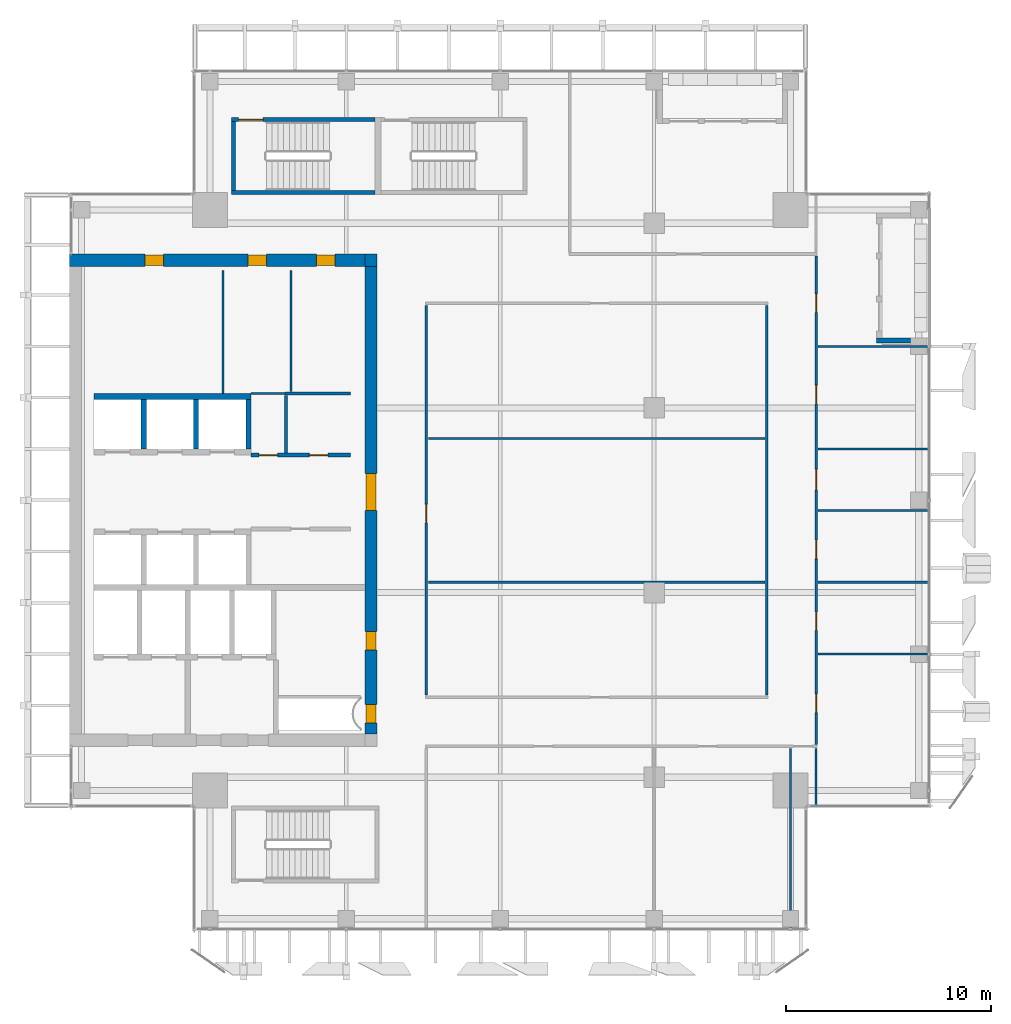
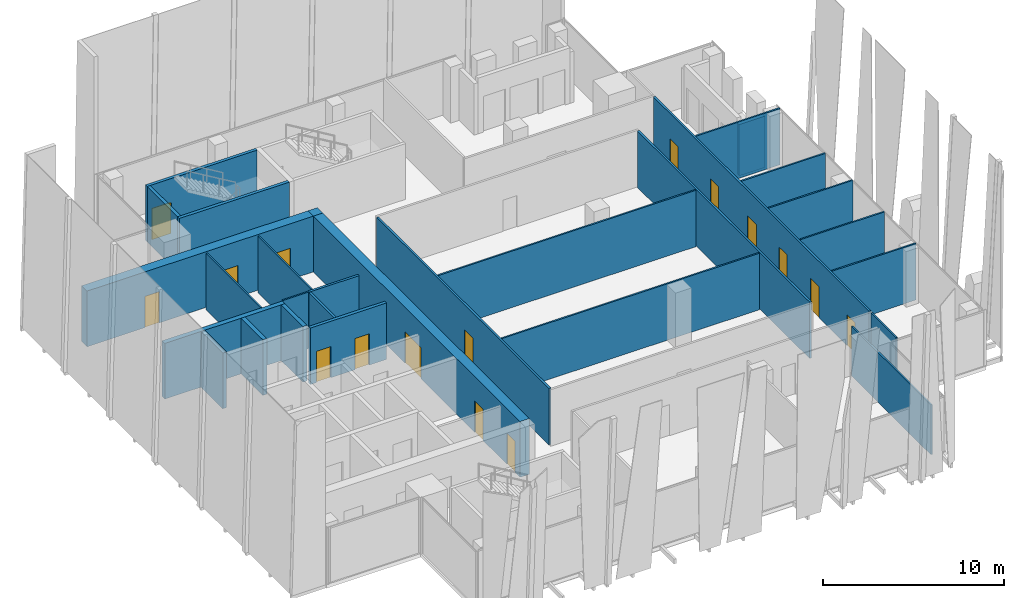
# One storey, part 27 of 33: 29 walls, 16 doors, 16 openings.
"""IFC4 building model written with IfcOpenShell, lengths in metres."""

from ifc_helpers import new_model, si_unit, direction, frame, frame_2d, origin, place, context, subcontext, project, spatial, rectangle, extrude, source, transform, mapped, material, layer, layer_set, type_object, element, fill, save


model = new_model("IFC4")

# Units and contexts
model_context = context("Model", 3, precision=1e-05, world=origin(), true_north=direction((0.0, 1.0)))
body_context = subcontext(model_context, "Body", "Model", "MODEL_VIEW")
ifc_project = project(units=[si_unit("LENGTHUNIT", "METRE"), si_unit("AREAUNIT", "SQUARE_METRE"), si_unit("VOLUMEUNIT", "CUBIC_METRE"), si_unit("PLANEANGLEUNIT", "RADIAN"), si_unit("MASSUNIT", "GRAM", prefix="KILO")], contexts=[model_context])

# Site, building, storey
site_placement = place(None, origin())
site = spatial("IfcSite", under=ifc_project, at=site_placement, CompositionType="ELEMENT")
building_placement = place(site_placement, origin())
building = spatial("IfcBuilding", under=site, at=building_placement, Name="Khomas Fold Tower", CompositionType="ELEMENT")
storey_placement = place(building_placement, frame((0.0, 0.0, 294.199951171875)))
storey = spatial("IfcBuildingStorey", under=building, at=storey_placement, Name="L66", CompositionType="ELEMENT", Elevation=294.199951171875)

# Wall, opening, door
ifc_material_1 = material(Name="Concrete C50/60", Category="concrete")
ifc_layer_1 = layer(ifc_material_1, 0.199951171875)
ifc_layer_set_1 = layer_set([ifc_layer_1], Name="Concrete C50/60")
wall_type_1 = type_object("IfcWallType", Name="Stair wall 200", PredefinedType="SHEAR", material=ifc_layer_set_1)
shared_shape_1 = source(origin(), body_context, "Body", "SweptSolid", [
    extrude(rectangle(XDim=7.0, YDim=0.199951171875, at=frame_2d((3.5, 0.0))), origin(), (0.0, 0.0, 1.0), 3.75),
])
wall_1_placement = place(storey_placement, frame((13.89990234375, 45.550048828125, 0.0), z_axis=(0.0, 0.0, 1.0), x_axis=(1.0, 0.0, 0.0)))
wall_1 = element("IfcWall", 1, at=wall_1_placement, inside=storey, type_object=wall_type_1, Name="Stair wall SW-ST1-N", PredefinedType="SHEAR", context=body_context, shape_type="MappedRepresentation", body=[
    mapped(shared_shape_1, transform((0.0, 0.0, 0.0))),
])
shared_shape_2 = source(origin(), body_context, "Body", "SweptSolid", [
    extrude(rectangle(XDim=1.199951171875, YDim=2.10009765625, at=frame_2d((0.60009765625, 1.050048828125))), frame((0.0, 0.10986328125, 0.0), z_axis=(0.0, -1.0, 0.0), x_axis=(1.0, 0.0, 0.0)), (0.0, 0.0, 1.0), 0.219970703125),
])
opening_1_placement = place(wall_1_placement, frame((0.35009765625, 0.0, 0.0)))
opening_1 = element("IfcOpeningElement", 2, at=opening_1_placement, cuts=wall_1, Name="Opening SD-ST1", PredefinedType="OPENING", context=body_context, shape_type="MappedRepresentation", body=[
    mapped(shared_shape_2, transform((0.0, 0.0, 0.0))),
])
ifc_material_2 = material(Name="Steel door leaf", Category="steel")
door_type_1 = type_object("IfcDoorType", Name="Stair door 1200x2100 left-hand", OperationType="SINGLE_SWING_LEFT", PredefinedType="DOOR", material=ifc_material_2)
shared_shape_3 = source(origin(), body_context, "Body", "SweptSolid", [
    extrude(rectangle(XDim=1.199951171875, YDim=2.10009765625, at=frame_2d((0.60009765625, 1.050048828125))), frame((0.0, 0.02490234375, 0.0), z_axis=(0.0, -1.0, 0.0), x_axis=(1.0, 0.0, 0.0)), (0.0, 0.0, 1.0), 0.050048828125),
])
door_1_placement = place(opening_1_placement, origin())
door_1 = element("IfcDoor", 3, at=door_1_placement, inside=storey, type_object=door_type_1, Name="Stair door", OperationType="SINGLE_SWING_LEFT", OverallHeight=2.10009765625, OverallWidth=1.199951171875, PredefinedType="DOOR", context=body_context, shape_type="MappedRepresentation", body=[
    mapped(shared_shape_3, transform((0.0, 0.0, 0.0))),
])
fill(opening_1, door_1)

# Walls
wall_2_placement = place(storey_placement, frame((13.89990234375, 42.0, 0.0), z_axis=(0.0, 0.0, 1.0), x_axis=(1.0, 0.0, 0.0)))
element("IfcWall", 4, at=wall_2_placement, inside=storey, type_object=wall_type_1, Name="Stair wall SW-ST1-S", PredefinedType="SHEAR", context=body_context, shape_type="MappedRepresentation", body=[
    mapped(shared_shape_1, transform((0.0, 0.0, 0.0))),
])
shared_shape_4 = source(origin(), body_context, "Body", "SweptSolid", [
    extrude(rectangle(XDim=3.349853515625, YDim=0.199951171875, at=frame_2d((1.6748046875, 0.0))), origin(), (0.0, 0.0, 1.0), 3.75),
])
wall_3_placement = place(storey_placement, frame((14.0, 42.10009765625, 0.0), z_axis=(0.0, 0.0, 1.0), x_axis=(0.0, 1.0, 0.0)))
element("IfcWall", 5, at=wall_3_placement, inside=storey, type_object=wall_type_1, Name="Stair wall SW-ST1-W", PredefinedType="SHEAR", context=body_context, shape_type="MappedRepresentation", body=[
    mapped(shared_shape_4, transform((0.0, 0.0, 0.0))),
])
ifc_material_3 = material(Name="Concrete C50/60", Category="concrete")
ifc_layer_2 = layer(ifc_material_3, 0.25)
ifc_layer_set_2 = layer_set([ifc_layer_2], Name="Concrete C50/60")
wall_type_2 = type_object("IfcWallType", Name="Shaft wall 250", PredefinedType="STANDARD", material=ifc_layer_set_2)
shared_shape_5 = source(origin(), body_context, "Body", "SweptSolid", [
    extrude(rectangle(XDim=2.39990234375, YDim=0.25, at=frame_2d((1.199951171875, 0.0))), origin(), (0.0, 0.0, 1.0), 3.75),
])
for number, where, z_axis, x_axis, name in (
    (6, (9.625, 29.5, 0.0), (0.0, 0.0, 1.0), (0.0, 1.0, 0.0), "Core wall SW-HRN-P1"),
    (7, (12.175048828125, 29.5, 0.0), (0.0, 0.0, 1.0), (0.0, 1.0, 0.0), "Core wall SW-HRN-P2"),
    (8, (14.72509765625, 29.5, 0.0), (0.0, 0.0, 1.0), (0.0, 1.0, 0.0), "Core wall SW-HRN-PE"),
):
    element("IfcWall", number, at=place(storey_placement, frame(where, z_axis=z_axis, x_axis=x_axis)), inside=storey, type_object=wall_type_2, Name=name, PredefinedType="STANDARD", context=body_context, shape_type="MappedRepresentation", body=[
        mapped(shared_shape_5, transform((0.0, 0.0, 0.0))),
    ])

# Wall, openings, doors
ifc_material_4 = material(Name="Concrete C50/60", Category="concrete")
ifc_layer_3 = layer(ifc_material_4, 0.60009765625)
ifc_layer_set_3 = layer_set([ifc_layer_3], Name="Concrete C50/60")
wall_type_3 = type_object("IfcWallType", Name="Core wall 600", PredefinedType="SHEAR", material=ifc_layer_set_3)
shared_shape_6 = source(origin(), body_context, "Body", "SweptSolid", [
    extrude(rectangle(XDim=14.39990234375, YDim=0.60009765625, at=frame_2d((7.199951171875, 0.0))), origin(), (0.0, 0.0, 1.0), 3.75),
])
wall_4_placement = place(storey_placement, frame((6.0, 38.699951171875, 0.0), z_axis=(0.0, 0.0, 1.0), x_axis=(1.0, 0.0, 0.0)))
wall_4 = element("IfcWall", 9, at=wall_4_placement, inside=storey, type_object=wall_type_3, Name="Core wall CW-U-N-L63", PredefinedType="SHEAR", context=body_context, shape_type="MappedRepresentation", body=[
    mapped(shared_shape_6, transform((0.0, 0.0, 0.0))),
])
shared_shape_7 = source(origin(), body_context, "Body", "SweptSolid", [
    extrude(rectangle(XDim=0.89990234375, YDim=2.10009765625, at=frame_2d((0.449951171875, 1.050048828125))), frame((0.0, 0.31005859375, 0.0), z_axis=(0.0, -1.0, 0.0), x_axis=(1.0, 0.0, 0.0)), (0.0, 0.0, 1.0), 0.6201171875),
])
opening_2_placement = place(wall_4_placement, frame((3.699951171875, 0.0, 0.0)))
opening_2 = element("IfcOpeningElement", 10, at=opening_2_placement, cuts=wall_4, Name="Opening 0008", PredefinedType="OPENING", context=body_context, shape_type="MappedRepresentation", body=[
    mapped(shared_shape_7, transform((0.0, 0.0, 0.0))),
])
opening_3_placement = place(wall_4_placement, frame((8.699951171875, 0.0, 0.0)))
opening_3 = element("IfcOpeningElement", 11, at=opening_3_placement, cuts=wall_4, Name="Opening 0008", PredefinedType="OPENING", context=body_context, shape_type="MappedRepresentation", body=[
    mapped(shared_shape_7, transform((0.0, 0.0, 0.0))),
])
opening_4_placement = place(wall_4_placement, frame((12.050048828125, 0.0, 0.0)))
opening_4 = element("IfcOpeningElement", 12, at=opening_4_placement, cuts=wall_4, Name="Opening 0008", PredefinedType="OPENING", context=body_context, shape_type="MappedRepresentation", body=[
    mapped(shared_shape_7, transform((0.0, 0.0, 0.0))),
])
ifc_material_5 = material(Name="Timber door leaf", Category="wood")
door_type_2 = type_object("IfcDoorType", Name="Door 900x2100 right-hand", OperationType="SINGLE_SWING_RIGHT", PredefinedType="DOOR", material=ifc_material_5)
shared_shape_8 = source(origin(), body_context, "Body", "SweptSolid", [
    extrude(rectangle(XDim=0.89990234375, YDim=2.10009765625, at=frame_2d((0.449951171875, 1.050048828125))), frame((0.0, 0.25, 0.0), z_axis=(0.0, -1.0, 0.0), x_axis=(1.0, 0.0, 0.0)), (0.0, 0.0, 1.0), 0.5),
])
door_2_placement = place(opening_2_placement, origin())
door_2 = element("IfcDoor", 13, at=door_2_placement, inside=storey, type_object=door_type_2, Name="Door", OperationType="SINGLE_SWING_RIGHT", OverallHeight=2.10009765625, OverallWidth=0.89990234375, PredefinedType="DOOR", context=body_context, shape_type="MappedRepresentation", body=[
    mapped(shared_shape_8, transform((0.0, 0.0, 0.0))),
])
fill(opening_2, door_2)
door_3_placement = place(opening_3_placement, origin())
door_3 = element("IfcDoor", 14, at=door_3_placement, inside=storey, type_object=door_type_2, Name="Door", OperationType="SINGLE_SWING_RIGHT", OverallHeight=2.10009765625, OverallWidth=0.89990234375, PredefinedType="DOOR", context=body_context, shape_type="MappedRepresentation", body=[
    mapped(shared_shape_8, transform((0.0, 0.0, 0.0))),
])
fill(opening_3, door_3)
door_4_placement = place(opening_4_placement, origin())
door_4 = element("IfcDoor", 15, at=door_4_placement, inside=storey, type_object=door_type_2, Name="Door", OperationType="SINGLE_SWING_RIGHT", OverallHeight=2.10009765625, OverallWidth=0.89990234375, PredefinedType="DOOR", context=body_context, shape_type="MappedRepresentation", body=[
    mapped(shared_shape_8, transform((0.0, 0.0, 0.0))),
])
fill(opening_4, door_4)

# Wall
ifc_material_6 = material(Name="Concrete C50/60", Category="concrete")
ifc_layer_4 = layer(ifc_material_6, 0.60009765625)
ifc_layer_set_4 = layer_set([ifc_layer_4], Name="Concrete C50/60")
wall_type_4 = type_object("IfcWallType", Name="Core corner wall 600", PredefinedType="SHEAR", material=ifc_layer_set_4)
shared_shape_9 = source(origin(), body_context, "Body", "SweptSolid", [
    extrude(rectangle(XDim=0.60009765625, YDim=0.60009765625, at=frame_2d((0.300048828125, 0.0))), origin(), (0.0, 0.0, 1.0), 3.75),
])
wall_5_placement = place(storey_placement, frame((20.39990234375, 38.699951171875, 0.0), z_axis=(0.0, 0.0, 1.0), x_axis=(1.0, 0.0, 0.0)))
element("IfcWall", 16, at=wall_5_placement, inside=storey, type_object=wall_type_4, Name="Core wall CW-U-NE-L63", PredefinedType="SHEAR", context=body_context, shape_type="MappedRepresentation", body=[
    mapped(shared_shape_9, transform((0.0, 0.0, 0.0))),
])

# Wall, openings, doors
shared_shape_10 = source(origin(), body_context, "Body", "SweptSolid", [
    extrude(rectangle(XDim=22.7998046875, YDim=0.60009765625, at=frame_2d((11.39990234375, 0.0))), origin(), (0.0, 0.0, 1.0), 3.75),
])
wall_6_placement = place(storey_placement, frame((20.699951171875, 15.60009765625, 0.0), z_axis=(0.0, 0.0, 1.0), x_axis=(0.0, 1.0, 0.0)))
wall_6 = element("IfcWall", 17, at=wall_6_placement, inside=storey, type_object=wall_type_3, Name="Core wall CW-U-E-L63", PredefinedType="SHEAR", context=body_context, shape_type="MappedRepresentation", body=[
    mapped(shared_shape_10, transform((0.0, 0.0, 0.0))),
])
shared_shape_11 = source(origin(), body_context, "Body", "SweptSolid", [
    extrude(rectangle(XDim=1.800048828125, YDim=2.10009765625, at=frame_2d((0.89990234375, 1.050048828125))), frame((0.0, 0.31005859375, 0.0), z_axis=(0.0, -1.0, 0.0), x_axis=(1.0, 0.0, 0.0)), (0.0, 0.0, 1.0), 0.6201171875),
])
opening_5_placement = place(wall_6_placement, frame((10.89990234375, 0.0, 0.0)))
opening_5 = element("IfcOpeningElement", 18, at=opening_5_placement, cuts=wall_6, Name="Opening 0015", PredefinedType="OPENING", context=body_context, shape_type="MappedRepresentation", body=[
    mapped(shared_shape_11, transform((0.0, 0.0, 0.0))),
])
opening_6_placement = place(wall_6_placement, frame((0.550048828125, 0.0, 0.0)))
opening_6 = element("IfcOpeningElement", 19, at=opening_6_placement, cuts=wall_6, Name="Opening 0003", PredefinedType="OPENING", context=body_context, shape_type="MappedRepresentation", body=[
    mapped(shared_shape_7, transform((0.0, 0.0, 0.0))),
])
opening_7_placement = place(wall_6_placement, frame((4.10009765625, 0.0, 0.0)))
opening_7 = element("IfcOpeningElement", 20, at=opening_7_placement, cuts=wall_6, Name="Opening 0008", PredefinedType="OPENING", context=body_context, shape_type="MappedRepresentation", body=[
    mapped(shared_shape_7, transform((0.0, 0.0, 0.0))),
])
ifc_material_7 = material(Name="Steel door leaf", Category="steel")
door_type_3 = type_object("IfcDoorType", Name="Lobby door 1800x2100", OperationType="DOUBLE_DOOR_SINGLE_SWING", PredefinedType="DOOR", material=ifc_material_7)
shared_shape_12 = source(origin(), body_context, "Body", "SweptSolid", [
    extrude(rectangle(XDim=1.800048828125, YDim=2.10009765625, at=frame_2d((0.89990234375, 1.050048828125))), frame((0.0, 0.25, 0.0), z_axis=(0.0, -1.0, 0.0), x_axis=(1.0, 0.0, 0.0)), (0.0, 0.0, 1.0), 0.5),
])
door_5_placement = place(opening_5_placement, origin())
door_5 = element("IfcDoor", 21, at=door_5_placement, inside=storey, type_object=door_type_3, Name="Lobby door", OperationType="DOUBLE_DOOR_SINGLE_SWING", OverallHeight=2.10009765625, OverallWidth=1.800048828125, PredefinedType="DOOR", context=body_context, shape_type="MappedRepresentation", body=[
    mapped(shared_shape_12, transform((0.0, 0.0, 0.0))),
])
fill(opening_5, door_5)
ifc_material_8 = material(Name="Steel door leaf", Category="steel")
door_type_4 = type_object("IfcDoorType", Name="Plant room door 900x2100 right-hand", OperationType="SINGLE_SWING_RIGHT", PredefinedType="DOOR", material=ifc_material_8)
door_6_placement = place(opening_6_placement, origin())
door_6 = element("IfcDoor", 22, at=door_6_placement, inside=storey, type_object=door_type_4, Name="Plant room door", OperationType="SINGLE_SWING_RIGHT", OverallHeight=2.10009765625, OverallWidth=0.89990234375, PredefinedType="DOOR", context=body_context, shape_type="MappedRepresentation", body=[
    mapped(shared_shape_8, transform((0.0, 0.0, 0.0))),
])
fill(opening_6, door_6)
door_7_placement = place(opening_7_placement, origin())
door_7 = element("IfcDoor", 23, at=door_7_placement, inside=storey, type_object=door_type_2, Name="Door", OperationType="SINGLE_SWING_RIGHT", OverallHeight=2.10009765625, OverallWidth=0.89990234375, PredefinedType="DOOR", context=body_context, shape_type="MappedRepresentation", body=[
    mapped(shared_shape_8, transform((0.0, 0.0, 0.0))),
])
fill(opening_7, door_7)

# Walls
ifc_material_9 = material(Name="Concrete C50/60", Category="concrete")
ifc_layer_5 = layer(ifc_material_9, 0.300048828125)
ifc_layer_set_5 = layer_set([ifc_layer_5], Name="Concrete C50/60")
wall_type_5 = type_object("IfcWallType", Name="Shaft wall 300", PredefinedType="STANDARD", material=ifc_layer_set_5)
shared_shape_13 = source(origin(), body_context, "Body", "SweptSolid", [
    extrude(rectangle(XDim=7.650146484375, YDim=0.300048828125, at=frame_2d((3.8251953125, 0.0))), origin(), (0.0, 0.0, 1.0), 3.75),
])
wall_7_placement = place(storey_placement, frame((7.199951171875, 32.050048828125, 0.0), z_axis=(0.0, 0.0, 1.0), x_axis=(1.0, 0.0, 0.0)))
element("IfcWall", 24, at=wall_7_placement, inside=storey, type_object=wall_type_5, Name="Core wall SW-HRN-B", PredefinedType="STANDARD", context=body_context, shape_type="MappedRepresentation", body=[
    mapped(shared_shape_13, transform((0.0, 0.0, 0.0))),
])
ifc_material_10 = material(Name="Natural stone", Category="masonry")
ifc_layer_6 = layer(ifc_material_10, 0.0400390625)
ifc_material_11 = material(Name="Mineral wool insulation", Category="insulation")
ifc_layer_7 = layer(ifc_material_11, 0.10009765625)
ifc_material_12 = material(Name="Masonry", Category="masonry")
ifc_layer_8 = layer(ifc_material_12, 0.110107421875)
ifc_layer_set_6 = layer_set([ifc_layer_6, ifc_layer_7, ifc_layer_8], Name="Stone-faced insulated masonry")
wall_type_6 = type_object("IfcWallType", Name="BL-Balcony wall", PredefinedType="SOLIDWALL", material=ifc_layer_set_6)
shared_shape_14 = source(origin(), body_context, "Body", "SweptSolid", [
    extrude(rectangle(XDim=1.64990234375, YDim=0.25, at=frame_2d((0.824951171875, 0.0))), origin(), (0.0, 0.0, 1.0), 3.449951171875),
])
wall_8_placement = place(storey_placement, frame((47.0, 34.77490234375, 0.0), z_axis=(0.0, 0.0, 1.0), x_axis=(-1.0, 0.0, 0.0)))
element("IfcWall", 25, at=wall_8_placement, inside=storey, type_object=wall_type_6, Name="Balcony return wall BAL-L66-E4-lo", PredefinedType="SOLIDWALL", context=body_context, shape_type="MappedRepresentation", body=[
    mapped(shared_shape_14, transform((0.0, 0.0, 0.0))),
])
ifc_material_13 = material(Name="Plasterboard partition")
ifc_layer_9 = layer(ifc_material_13, 0.10009765625)
ifc_layer_set_7 = layer_set([ifc_layer_9], Name="Plasterboard partition")
wall_type_7 = type_object("IfcWallType", Name="Partition PW1 100", PredefinedType="PARTITIONING", material=ifc_layer_set_7)
shared_shape_15 = source(origin(), body_context, "Body", "SweptSolid", [
    extrude(rectangle(XDim=6.0, YDim=0.10009765625, at=frame_2d((3.0, 0.0))), origin(), (0.0, 0.0, 1.0), 3.800048828125),
])
wall_9_placement = place(storey_placement, frame((13.5, 32.199951171875, 0.0), z_axis=(0.0, 0.0, 1.0), x_axis=(0.0, 1.0, 0.0)))
element("IfcWall", 26, at=wall_9_placement, inside=storey, type_object=wall_type_7, Name="Partition", PredefinedType="PARTITIONING", context=body_context, shape_type="MappedRepresentation", body=[
    mapped(shared_shape_15, transform((0.0, 0.0, 0.0))),
])

# Wall, opening, door
ifc_material_14 = material(Name="Plasterboard partition")
ifc_layer_10 = layer(ifc_material_14, 0.125)
ifc_layer_set_8 = layer_set([ifc_layer_10], Name="Plasterboard partition")
wall_type_8 = type_object("IfcWallType", Name="Partition PW2 125", PredefinedType="PARTITIONING", material=ifc_layer_set_8)
shared_shape_16 = source(origin(), body_context, "Body", "SweptSolid", [
    extrude(rectangle(XDim=19.0, YDim=0.125, at=frame_2d((9.5, 0.0))), origin(), (0.0, 0.0, 1.0), 3.800048828125),
])
wall_10_placement = place(storey_placement, frame((23.39990234375, 17.5, 0.0), z_axis=(0.0, 0.0, 1.0), x_axis=(0.0, 1.0, 0.0)))
wall_10 = element("IfcWall", 27, at=wall_10_placement, inside=storey, type_object=wall_type_8, Name="Partition", PredefinedType="PARTITIONING", context=body_context, shape_type="MappedRepresentation", body=[
    mapped(shared_shape_16, transform((0.0, 0.0, 0.0))),
])
shared_shape_17 = source(origin(), body_context, "Body", "SweptSolid", [
    extrude(rectangle(XDim=0.89990234375, YDim=2.10009765625, at=frame_2d((0.449951171875, 1.050048828125))), frame((0.0, 0.072509765625, 0.0), z_axis=(0.0, -1.0, 0.0), x_axis=(1.0, 0.0, 0.0)), (0.0, 0.0, 1.0), 0.14501953125),
])
opening_8_placement = place(wall_10_placement, frame((8.39990234375, 0.0, 0.0)))
opening_8 = element("IfcOpeningElement", 28, at=opening_8_placement, cuts=wall_10, Name="Opening 0007", PredefinedType="OPENING", context=body_context, shape_type="MappedRepresentation", body=[
    mapped(shared_shape_17, transform((0.0, 0.0, 0.0))),
])
ifc_material_15 = material(Name="Timber door leaf", Category="wood")
door_type_5 = type_object("IfcDoorType", Name="Door 900x2100 left-hand", OperationType="SINGLE_SWING_LEFT", PredefinedType="DOOR", material=ifc_material_15)
shared_shape_18 = source(origin(), body_context, "Body", "SweptSolid", [
    extrude(rectangle(XDim=0.89990234375, YDim=2.10009765625, at=frame_2d((0.449951171875, 1.050048828125))), frame((0.0, 0.02490234375, 0.0), z_axis=(0.0, -1.0, 0.0), x_axis=(1.0, 0.0, 0.0)), (0.0, 0.0, 1.0), 0.050048828125),
])
door_8_placement = place(opening_8_placement, origin())
door_8 = element("IfcDoor", 29, at=door_8_placement, inside=storey, type_object=door_type_5, Name="Door", OperationType="SINGLE_SWING_LEFT", OverallHeight=2.10009765625, OverallWidth=0.89990234375, PredefinedType="DOOR", context=body_context, shape_type="MappedRepresentation", body=[
    mapped(shared_shape_18, transform((0.0, 0.0, 0.0))),
])
fill(opening_8, door_8)

# Wall
wall_11_placement = place(storey_placement, frame((40.0, 17.5, 0.0), z_axis=(0.0, 0.0, 1.0), x_axis=(0.0, 1.0, 0.0)))
element("IfcWall", 30, at=wall_11_placement, inside=storey, type_object=wall_type_8, Name="Partition", PredefinedType="PARTITIONING", context=body_context, shape_type="MappedRepresentation", body=[
    mapped(shared_shape_16, transform((0.0, 0.0, 0.0))),
])

# Wall, openings, doors
ifc_material_16 = material(Name="Concrete C30/37", Category="concrete")
ifc_layer_11 = layer(ifc_material_16, 0.199951171875)
ifc_layer_set_9 = layer_set([ifc_layer_11], Name="Concrete C30/37")
wall_type_9 = type_object("IfcWallType", Name="Lobby wall PW4 200", PredefinedType="PARTITIONING", material=ifc_layer_set_9)
shared_shape_19 = source(origin(), body_context, "Body", "SweptSolid", [
    extrude(rectangle(XDim=4.849853515625, YDim=0.199951171875, at=frame_2d((2.4248046875, 0.0))), origin(), (0.0, 0.0, 1.0), 3.800048828125),
])
wall_12_placement = place(storey_placement, frame((14.85009765625, 29.199951171875, 0.0), z_axis=(0.0, 0.0, 1.0), x_axis=(1.0, 0.0, 0.0)))
wall_12 = element("IfcWall", 31, at=wall_12_placement, inside=storey, type_object=wall_type_9, Name="Lobby wall", PredefinedType="PARTITIONING", context=body_context, shape_type="MappedRepresentation", body=[
    mapped(shared_shape_19, transform((0.0, 0.0, 0.0))),
])
shared_shape_20 = source(origin(), body_context, "Body", "SweptSolid", [
    extrude(rectangle(XDim=0.89990234375, YDim=2.10009765625, at=frame_2d((0.449951171875, 1.050048828125))), frame((0.0, 0.10986328125, 0.0), z_axis=(0.0, -1.0, 0.0), x_axis=(1.0, 0.0, 0.0)), (0.0, 0.0, 1.0), 0.219970703125),
])
opening_9_placement = place(wall_12_placement, frame((0.39990234375, 0.0, 0.0)))
opening_9 = element("IfcOpeningElement", 32, at=opening_9_placement, cuts=wall_12, Name="Opening 0021", PredefinedType="OPENING", context=body_context, shape_type="MappedRepresentation", body=[
    mapped(shared_shape_20, transform((0.0, 0.0, 0.0))),
])
opening_10_placement = place(wall_12_placement, frame((2.85009765625, 0.0, 0.0)))
opening_10 = element("IfcOpeningElement", 33, at=opening_10_placement, cuts=wall_12, Name="Opening 0003", PredefinedType="OPENING", context=body_context, shape_type="MappedRepresentation", body=[
    mapped(shared_shape_20, transform((0.0, 0.0, 0.0))),
])
ifc_material_17 = material(Name="Steel door leaf", Category="steel")
door_type_6 = type_object("IfcDoorType", Name="Lobby door 900x2100 left-hand", OperationType="SINGLE_SWING_LEFT", PredefinedType="DOOR", material=ifc_material_17)
door_9_placement = place(opening_9_placement, origin())
door_9 = element("IfcDoor", 34, at=door_9_placement, inside=storey, type_object=door_type_6, Name="Lobby door", OperationType="SINGLE_SWING_LEFT", OverallHeight=2.10009765625, OverallWidth=0.89990234375, PredefinedType="DOOR", context=body_context, shape_type="MappedRepresentation", body=[
    mapped(shared_shape_18, transform((0.0, 0.0, 0.0))),
])
fill(opening_9, door_9)
door_10_placement = place(opening_10_placement, origin())
door_10 = element("IfcDoor", 35, at=door_10_placement, inside=storey, type_object=door_type_4, Name="Plant room door", OperationType="SINGLE_SWING_RIGHT", OverallHeight=2.10009765625, OverallWidth=0.89990234375, PredefinedType="DOOR", context=body_context, shape_type="MappedRepresentation", body=[
    mapped(shared_shape_18, transform((0.0, 0.0, 0.0))),
])
fill(opening_10, door_10)

# Walls
ifc_material_18 = material(Name="Plasterboard fire partition")
ifc_layer_12 = layer(ifc_material_18, 0.14990234375)
ifc_layer_set_10 = layer_set([ifc_layer_12], Name="Plasterboard fire partition")
wall_type_10 = type_object("IfcWallType", Name="Plant room wall PW3 150", PredefinedType="PARTITIONING", material=ifc_layer_set_10)
shared_shape_21 = source(origin(), body_context, "Body", "SweptSolid", [
    extrude(rectangle(XDim=2.800048828125, YDim=0.14990234375, at=frame_2d((1.39990234375, 0.0))), origin(), (0.0, 0.0, 1.0), 3.800048828125),
])
wall_13_placement = place(storey_placement, frame((16.550048828125, 29.300048828125, 0.0), z_axis=(0.0, 0.0, 1.0), x_axis=(0.0, 1.0, 0.0)))
element("IfcWall", 36, at=wall_13_placement, inside=storey, type_object=wall_type_10, Name="Plant room wall", PredefinedType="PARTITIONING", context=body_context, shape_type="MappedRepresentation", body=[
    mapped(shared_shape_21, transform((0.0, 0.0, 0.0))),
])
shared_shape_22 = source(origin(), body_context, "Body", "SweptSolid", [
    extrude(rectangle(XDim=1.64990234375, YDim=0.10009765625, at=frame_2d((0.824951171875, 0.0))), origin(), (0.0, 0.0, 1.0), 3.800048828125),
])
wall_14_placement = place(storey_placement, frame((14.85009765625, 32.199951171875, 0.0), z_axis=(0.0, 0.0, 1.0), x_axis=(1.0, 0.0, 0.0)))
element("IfcWall", 37, at=wall_14_placement, inside=storey, type_object=wall_type_7, Name="Partition", PredefinedType="PARTITIONING", context=body_context, shape_type="MappedRepresentation", body=[
    mapped(shared_shape_22, transform((0.0, 0.0, 0.0))),
])
shared_shape_23 = source(origin(), body_context, "Body", "SweptSolid", [
    extrude(rectangle(XDim=3.199951171875, YDim=0.14990234375, at=frame_2d((1.60009765625, 0.0))), origin(), (0.0, 0.0, 1.0), 3.800048828125),
])
wall_15_placement = place(storey_placement, frame((16.5, 32.199951171875, 0.0), z_axis=(0.0, 0.0, 1.0), x_axis=(1.0, 0.0, 0.0)))
element("IfcWall", 38, at=wall_15_placement, inside=storey, type_object=wall_type_10, Name="Plant room wall", PredefinedType="PARTITIONING", context=body_context, shape_type="MappedRepresentation", body=[
    mapped(shared_shape_23, transform((0.0, 0.0, 0.0))),
])
shared_shape_24 = source(origin(), body_context, "Body", "SweptSolid", [
    extrude(rectangle(XDim=5.89990234375, YDim=0.10009765625, at=frame_2d((2.949951171875, 0.0))), origin(), (0.0, 0.0, 1.0), 3.800048828125),
])
wall_16_placement = place(storey_placement, frame((16.800048828125, 32.300048828125, 0.0), z_axis=(0.0, 0.0, 1.0), x_axis=(0.0, 1.0, 0.0)))
element("IfcWall", 39, at=wall_16_placement, inside=storey, type_object=wall_type_7, Name="Partition", PredefinedType="PARTITIONING", context=body_context, shape_type="MappedRepresentation", body=[
    mapped(shared_shape_24, transform((0.0, 0.0, 0.0))),
])
shared_shape_25 = source(origin(), body_context, "Body", "SweptSolid", [
    extrude(rectangle(XDim=8.75, YDim=0.10009765625, at=frame_2d((4.375, 0.0))), origin(), (0.0, 0.0, 1.0), 3.35009765625),
])
wall_17_placement = place(storey_placement, frame((41.14990234375, 6.14990234375, 0.0), z_axis=(0.0, 0.0, 1.0), x_axis=(0.0, 1.0, 0.0)))
element("IfcWall", 40, at=wall_17_placement, inside=storey, type_object=wall_type_7, Name="Partition", PredefinedType="PARTITIONING", context=body_context, shape_type="MappedRepresentation", body=[
    mapped(shared_shape_25, transform((0.0, 0.0, 0.0))),
])
shared_shape_26 = source(origin(), body_context, "Body", "SweptSolid", [
    extrude(rectangle(XDim=2.75, YDim=0.10009765625, at=frame_2d((1.375, 0.0))), origin(), (0.0, 0.0, 1.0), 3.800048828125),
])
wall_18_placement = place(storey_placement, frame((42.39990234375, 12.14990234375, 0.0), z_axis=(0.0, 0.0, 1.0), x_axis=(0.0, 1.0, 0.0)))
element("IfcWall", 41, at=wall_18_placement, inside=storey, type_object=wall_type_7, Name="Partition", PredefinedType="PARTITIONING", context=body_context, shape_type="MappedRepresentation", body=[
    mapped(shared_shape_26, transform((0.0, 0.0, 0.0))),
])

# Wall, openings, doors
shared_shape_27 = source(origin(), body_context, "Body", "SweptSolid", [
    extrude(rectangle(XDim=23.7998046875, YDim=0.125, at=frame_2d((11.89990234375, 0.0))), origin(), (0.0, 0.0, 1.0), 3.800048828125),
])
wall_19_placement = place(storey_placement, frame((42.39990234375, 15.10009765625, 0.0), z_axis=(0.0, 0.0, 1.0), x_axis=(0.0, 1.0, 0.0)))
wall_19 = element("IfcWall", 42, at=wall_19_placement, inside=storey, type_object=wall_type_8, Name="Partition", PredefinedType="PARTITIONING", context=body_context, shape_type="MappedRepresentation", body=[
    mapped(shared_shape_27, transform((0.0, 0.0, 0.0))),
])
opening_11_placement = place(wall_19_placement, frame((1.550048828125, 0.0, 0.0)))
opening_11 = element("IfcOpeningElement", 43, at=opening_11_placement, cuts=wall_19, Name="Opening 0007", PredefinedType="OPENING", context=body_context, shape_type="MappedRepresentation", body=[
    mapped(shared_shape_17, transform((0.0, 0.0, 0.0))),
])
opening_12_placement = place(wall_19_placement, frame((5.550048828125, 0.0, 0.0)))
opening_12 = element("IfcOpeningElement", 44, at=opening_12_placement, cuts=wall_19, Name="Opening 0005", PredefinedType="OPENING", context=body_context, shape_type="MappedRepresentation", body=[
    mapped(shared_shape_17, transform((0.0, 0.0, 0.0))),
])
opening_13_placement = place(wall_19_placement, frame((9.050048828125, 0.0, 0.0)))
opening_13 = element("IfcOpeningElement", 45, at=opening_13_placement, cuts=wall_19, Name="Opening 0005", PredefinedType="OPENING", context=body_context, shape_type="MappedRepresentation", body=[
    mapped(shared_shape_17, transform((0.0, 0.0, 0.0))),
])
shared_shape_28 = source(origin(), body_context, "Body", "SweptSolid", [
    extrude(rectangle(XDim=1.0, YDim=2.10009765625, at=frame_2d((0.5, 1.050048828125))), frame((0.0, 0.072509765625, 0.0), z_axis=(0.0, -1.0, 0.0), x_axis=(1.0, 0.0, 0.0)), (0.0, 0.0, 1.0), 0.14501953125),
])
opening_14_placement = place(wall_19_placement, frame((12.39990234375, 0.0, 0.0)))
opening_14 = element("IfcOpeningElement", 46, at=opening_14_placement, cuts=wall_19, Name="Opening 0006", PredefinedType="OPENING", context=body_context, shape_type="MappedRepresentation", body=[
    mapped(shared_shape_28, transform((0.0, 0.0, 0.0))),
])
opening_15_placement = place(wall_19_placement, frame((16.60009765625, 0.0, 0.0)))
opening_15 = element("IfcOpeningElement", 47, at=opening_15_placement, cuts=wall_19, Name="Opening 0008", PredefinedType="OPENING", context=body_context, shape_type="MappedRepresentation", body=[
    mapped(shared_shape_17, transform((0.0, 0.0, 0.0))),
])
opening_16_placement = place(wall_19_placement, frame((21.050048828125, 0.0, 0.0)))
opening_16 = element("IfcOpeningElement", 48, at=opening_16_placement, cuts=wall_19, Name="Opening 0007", PredefinedType="OPENING", context=body_context, shape_type="MappedRepresentation", body=[
    mapped(shared_shape_17, transform((0.0, 0.0, 0.0))),
])
door_11_placement = place(opening_11_placement, origin())
door_11 = element("IfcDoor", 49, at=door_11_placement, inside=storey, type_object=door_type_5, Name="Door", OperationType="SINGLE_SWING_LEFT", OverallHeight=2.10009765625, OverallWidth=0.89990234375, PredefinedType="DOOR", context=body_context, shape_type="MappedRepresentation", body=[
    mapped(shared_shape_18, transform((0.0, 0.0, 0.0))),
])
fill(opening_11, door_11)
ifc_material_19 = material(Name="Timber door leaf", Category="wood")
door_type_7 = type_object("IfcDoorType", Name="WC door 900x2100 left-hand", OperationType="SINGLE_SWING_LEFT", PredefinedType="DOOR", material=ifc_material_19)
door_12_placement = place(opening_12_placement, origin())
door_12 = element("IfcDoor", 50, at=door_12_placement, inside=storey, type_object=door_type_7, Name="WC door", OperationType="SINGLE_SWING_LEFT", OverallHeight=2.10009765625, OverallWidth=0.89990234375, PredefinedType="DOOR", context=body_context, shape_type="MappedRepresentation", body=[
    mapped(shared_shape_18, transform((0.0, 0.0, 0.0))),
])
fill(opening_12, door_12)
door_13_placement = place(opening_13_placement, origin())
door_13 = element("IfcDoor", 51, at=door_13_placement, inside=storey, type_object=door_type_7, Name="WC door", OperationType="SINGLE_SWING_LEFT", OverallHeight=2.10009765625, OverallWidth=0.89990234375, PredefinedType="DOOR", context=body_context, shape_type="MappedRepresentation", body=[
    mapped(shared_shape_18, transform((0.0, 0.0, 0.0))),
])
fill(opening_13, door_13)
door_14_placement = place(opening_15_placement, origin())
door_14 = element("IfcDoor", 52, at=door_14_placement, inside=storey, type_object=door_type_2, Name="Door", OperationType="SINGLE_SWING_RIGHT", OverallHeight=2.10009765625, OverallWidth=0.89990234375, PredefinedType="DOOR", context=body_context, shape_type="MappedRepresentation", body=[
    mapped(shared_shape_18, transform((0.0, 0.0, 0.0))),
])
fill(opening_15, door_14)
door_15_placement = place(opening_16_placement, origin())
door_15 = element("IfcDoor", 53, at=door_15_placement, inside=storey, type_object=door_type_5, Name="Door", OperationType="SINGLE_SWING_LEFT", OverallHeight=2.10009765625, OverallWidth=0.89990234375, PredefinedType="DOOR", context=body_context, shape_type="MappedRepresentation", body=[
    mapped(shared_shape_18, transform((0.0, 0.0, 0.0))),
])
fill(opening_16, door_15)
ifc_material_20 = material(Name="Timber door leaf", Category="wood")
door_type_8 = type_object("IfcDoorType", Name="WC door 1000x2100 right-hand", OperationType="SINGLE_SWING_RIGHT", PredefinedType="DOOR", material=ifc_material_20)
shared_shape_29 = source(origin(), body_context, "Body", "SweptSolid", [
    extrude(rectangle(XDim=1.0, YDim=2.10009765625, at=frame_2d((0.5, 1.050048828125))), frame((0.0, 0.02490234375, 0.0), z_axis=(0.0, -1.0, 0.0), x_axis=(1.0, 0.0, 0.0)), (0.0, 0.0, 1.0), 0.050048828125),
])
door_16_placement = place(opening_14_placement, origin())
door_16 = element("IfcDoor", 54, at=door_16_placement, inside=storey, type_object=door_type_8, Name="WC door", OperationType="SINGLE_SWING_RIGHT", OverallHeight=2.10009765625, OverallWidth=1.0, PredefinedType="DOOR", context=body_context, shape_type="MappedRepresentation", body=[
    mapped(shared_shape_29, transform((0.0, 0.0, 0.0))),
])
fill(opening_14, door_16)

# Walls
shared_shape_30 = source(origin(), body_context, "Body", "SweptSolid", [
    extrude(rectangle(XDim=16.39990234375, YDim=0.10009765625, at=frame_2d((8.199951171875, 0.0))), origin(), (0.0, 0.0, 1.0), 3.800048828125),
])
for number, where, z_axis, x_axis, name in (
    (55, (23.5, 23.0, 0.0), (0.0, 0.0, 1.0), (1.0, 0.0, 0.0), "Partition"),
    (56, (23.5, 30.0, 0.0), (0.0, 0.0, 1.0), (1.0, 0.0, 0.0), "Partition"),
):
    element("IfcWall", number, at=place(storey_placement, frame(where, z_axis=z_axis, x_axis=x_axis)), inside=storey, type_object=wall_type_7, Name=name, PredefinedType="PARTITIONING", context=body_context, shape_type="MappedRepresentation", body=[
        mapped(shared_shape_30, transform((0.0, 0.0, 0.0))),
    ])
shared_shape_31 = source(origin(), body_context, "Body", "SweptSolid", [
    extrude(rectangle(XDim=5.35009765625, YDim=0.10009765625, at=frame_2d((2.675048828125, 0.0))), origin(), (0.0, 0.0, 1.0), 3.800048828125),
])
for number, where, z_axis, x_axis, name in (
    (57, (42.5, 19.5, 0.0), (0.0, 0.0, 1.0), (1.0, 0.0, 0.0), "Partition"),
    (58, (42.5, 23.0, 0.0), (0.0, 0.0, 1.0), (1.0, 0.0, 0.0), "Partition"),
    (59, (42.5, 26.5, 0.0), (0.0, 0.0, 1.0), (1.0, 0.0, 0.0), "Partition"),
    (60, (42.5, 29.5, 0.0), (0.0, 0.0, 1.0), (1.0, 0.0, 0.0), "Partition"),
    (61, (42.5, 34.5, 0.0), (0.0, 0.0, 1.0), (1.0, 0.0, 0.0), "Partition"),
):
    element("IfcWall", number, at=place(storey_placement, frame(where, z_axis=z_axis, x_axis=x_axis)), inside=storey, type_object=wall_type_7, Name=name, PredefinedType="PARTITIONING", context=body_context, shape_type="MappedRepresentation", body=[
        mapped(shared_shape_31, transform((0.0, 0.0, 0.0))),
    ])

save(model, "model.ifc")
